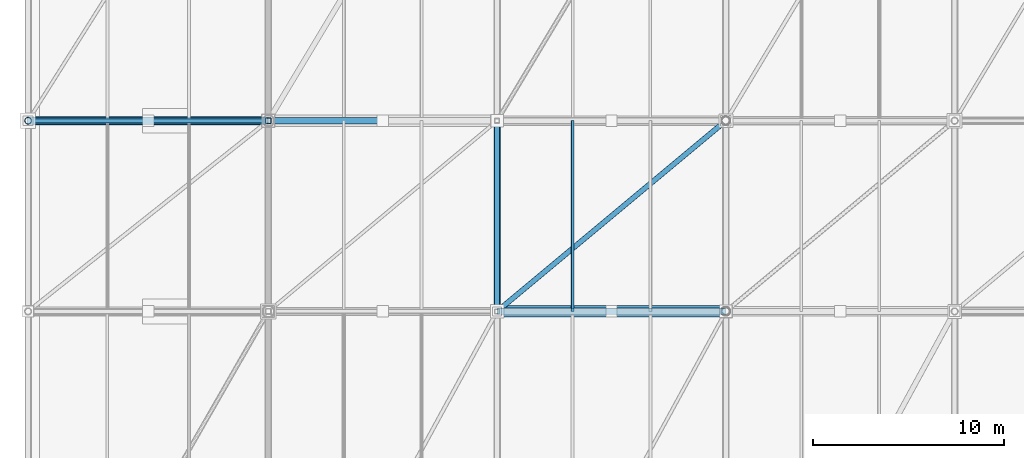
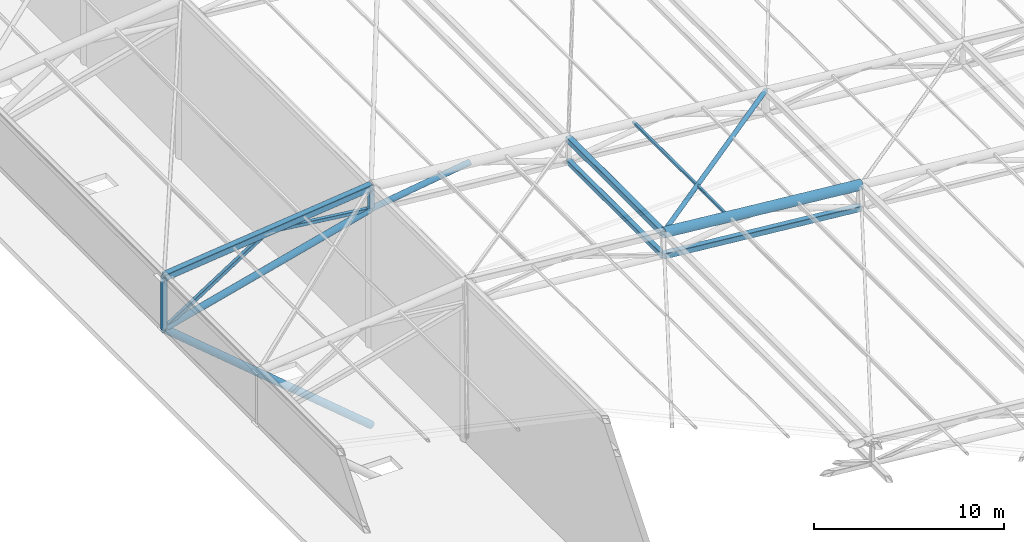
# One storey, part 12 of 44: 14 members.
"""IFC4 building model written with IfcOpenShell, lengths in metres."""

from ifc_helpers import new_model, si_unit, direction, frame, origin, origin_2d, place, context, subcontext, project, spatial, hollow_rectangle, hollow_circle, extrude, material, material_profile, profile_set, type_object, element, save


model = new_model("IFC4")

# Units and contexts
model_context = context("Model", 3, precision=1e-05, world=origin(), true_north=direction((0.0, 1.0)))
body_context = subcontext(model_context, "Body", "Model", "MODEL_VIEW")
ifc_project = project(units=[si_unit("LENGTHUNIT", "METRE"), si_unit("AREAUNIT", "SQUARE_METRE"), si_unit("VOLUMEUNIT", "CUBIC_METRE"), si_unit("PLANEANGLEUNIT", "RADIAN"), si_unit("MASSUNIT", "GRAM", prefix="KILO")], contexts=[model_context])

# Site, building, storey
site_placement = place(None, origin())
site = spatial("IfcSite", under=ifc_project, at=site_placement, CompositionType="ELEMENT")
building_placement = place(site_placement, origin())
building = spatial("IfcBuilding", under=site, at=building_placement, Name="Brinegate Civic Arena", CompositionType="ELEMENT")
storey_placement = place(building_placement, frame((0.0, 0.0, 29.39990234375)))
storey = spatial("IfcBuildingStorey", under=building, at=storey_placement, Name="RF", CompositionType="ELEMENT", Elevation=29.39990234375)

# Members
ifc_material = material(Name="Steel S355", Category="steel")
ifc_material_profile_1 = material_profile(ifc_material, hollow_rectangle(XDim=0.159912109375, YDim=0.159912109375, WallThickness=0.008056640625, InnerFilletRadius=0.008056640625, OuterFilletRadius=0.01611328125, at=origin_2d()), Name="SHS160X8")
ifc_profile_set_1 = profile_set([ifc_material_profile_1], Name="Steel S355")
member_type_1 = type_object("IfcMemberType", Name="RF-PURLIN-SHS160", PredefinedType="PURLIN", material=ifc_profile_set_1)
member_1_placement = place(storey_placement, frame((75.9599609375, 42.0, 9.089111328125), z_axis=(0.0, 1.0, 0.0), x_axis=(-1.0, 0.0, 0.0)))
element("IfcMember", 1, at=member_1_placement, inside=storey, type_object=member_type_1, Name="Roof Purlin RFP-041", PredefinedType="PURLIN", context=body_context, shape_type="SweptSolid", body=[
    extrude(hollow_rectangle(XDim=0.159912109375, YDim=0.159912109375, WallThickness=0.008056640625, InnerFilletRadius=0.008056640625, OuterFilletRadius=0.01611328125, at=origin_2d()), origin(), (0.0, 0.0, 1.0), 10.0),
])
ifc_material_profile_2 = material_profile(ifc_material, hollow_circle(Radius=0.136474609375, WallThickness=0.011962890625, at=origin_2d()), Name="CHS273X12")
ifc_profile_set_2 = profile_set([ifc_material_profile_2], Name="Steel S355")
member_type_2 = type_object("IfcMemberType", Name="SF-BRACE-CHS273", PredefinedType="BRACE", material=ifc_profile_set_2)
member_2_placement = place(storey_placement, frame((72.0, 42.0, 9.425048828125), z_axis=(0.766236619907, 0.638530516589, -0.071834683116), x_axis=(-0.640184399664, 0.768221279597, 0.0)))
element("IfcMember", 2, at=member_2_placement, inside=storey, type_object=member_type_2, Name="Roof Plan Diagonal Brace PL-3-3", PredefinedType="BRACE", context=body_context, shape_type="SweptSolid", body=[
    extrude(hollow_circle(Radius=0.136474609375, WallThickness=0.011962890625, at=origin_2d()), origin(), (0.0, 0.0, 1.0), 15.660888671875),
])
ifc_material_profile_3 = material_profile(ifc_material, hollow_circle(Radius=0.177978515625, WallThickness=0.013916015625, at=origin_2d()), Name="CHS356X14")
ifc_profile_set_3 = profile_set([ifc_material_profile_3], Name="Steel S355")
member_type_3 = type_object("IfcMemberType", Name="SF-BRACE-CHS356", PredefinedType="BRACE", material=ifc_profile_set_3)
member_3_placement = place(storey_placement, frame((60.0, 52.0, 9.10009765625), z_axis=(0.989226142737, 0.0, 0.1463954867), x_axis=(0.0, 1.0, 0.0)))
element("IfcMember", 3, at=member_3_placement, inside=storey, type_object=member_type_3, Name="Space Frame Web Brace D1-4-2", PredefinedType="BRACE", context=body_context, shape_type="SweptSolid", body=[
    extrude(hollow_circle(Radius=0.177978515625, WallThickness=0.013916015625, at=origin_2d()), origin(), (0.0, 0.0, 1.0), 6.0654296875),
])
ifc_material_profile_4 = material_profile(ifc_material, hollow_rectangle(XDim=0.219970703125, YDim=0.219970703125, WallThickness=0.011962890625, InnerFilletRadius=0.011962890625, OuterFilletRadius=0.02392578125, at=origin_2d()), Name="SHS220X12")
ifc_profile_set_4 = profile_set([ifc_material_profile_4], Name="Steel S355")
member_type_4 = type_object("IfcMemberType", Name="SF-BRACE-SHS220", PredefinedType="BRACE", material=ifc_profile_set_4)
member_4_placement = place(storey_placement, frame((47.39990234375, 52.0, 5.800048828125), z_axis=(0.841177416252, 0.0, 0.540759238837), x_axis=(0.0, 1.0, 0.0)))
element("IfcMember", 4, at=member_4_placement, inside=storey, type_object=member_type_4, Name="Space Frame Web Brace D1-4-1", PredefinedType="BRACE", context=body_context, shape_type="SweptSolid", body=[
    extrude(hollow_rectangle(XDim=0.219970703125, YDim=0.219970703125, WallThickness=0.011962890625, InnerFilletRadius=0.011962890625, OuterFilletRadius=0.02392578125, at=origin_2d()), origin(), (0.0, 0.0, 1.0), 7.489501953125),
])
member_5_placement = place(storey_placement, frame((53.699951171875, 52.0, 9.85009765625), z_axis=(0.992988381742, 0.0, -0.118211986387), x_axis=(0.0, 1.0, 0.0)))
element("IfcMember", 5, at=member_5_placement, inside=storey, type_object=member_type_4, Name="Space Frame Web Brace D2-4-1", PredefinedType="BRACE", context=body_context, shape_type="SweptSolid", body=[
    extrude(hollow_rectangle(XDim=0.219970703125, YDim=0.219970703125, WallThickness=0.011962890625, InnerFilletRadius=0.011962890625, OuterFilletRadius=0.02392578125, at=origin_2d()), origin(), (0.0, 0.0, 1.0), 6.344482421875),
])
ifc_material_profile_5 = material_profile(ifc_material, hollow_circle(Radius=0.202880859375, WallThickness=0.01611328125, at=origin_2d()), Name="CHS406X16")
ifc_profile_set_5 = profile_set([ifc_material_profile_5], Name="Steel S355")
member_type_5 = type_object("IfcMemberType", Name="SF-CHORD-CHS406", PredefinedType="CHORD", material=ifc_profile_set_5)
member_6_placement = place(storey_placement, frame((47.39990234375, 52.0, 5.800048828125), z_axis=(0.967371785856, 0.0, 0.25336106238), x_axis=(0.0, 1.0, 0.0)))
element("IfcMember", 6, at=member_6_placement, inside=storey, type_object=member_type_5, Name="Space Frame Bottom Chord BX-4-1", PredefinedType="CHORD", context=body_context, shape_type="SweptSolid", body=[
    extrude(hollow_circle(Radius=0.202880859375, WallThickness=0.01611328125, at=origin_2d()), origin(), (0.0, 0.0, 1.0), 13.025146484375),
])
ifc_material_profile_6 = material_profile(ifc_material, hollow_circle(Radius=0.304931640625, WallThickness=0.02490234375, at=origin_2d()), Name="CHS610X25")
ifc_profile_set_6 = profile_set([ifc_material_profile_6], Name="Steel S355")
member_type_6 = type_object("IfcMemberType", Name="SF-CHORD-CHS610", PredefinedType="CHORD", material=ifc_profile_set_6)
member_7_placement = place(storey_placement, frame((72.0, 42.0, 9.425048828125), z_axis=(0.995634226059, 0.0, -0.093340708693), x_axis=(0.0, 1.0, 0.0)))
element("IfcMember", 7, at=member_7_placement, inside=storey, type_object=member_type_6, Name="Space Frame Top Chord TX-3-3", PredefinedType="CHORD", context=body_context, shape_type="SweptSolid", body=[
    extrude(hollow_circle(Radius=0.304931640625, WallThickness=0.02490234375, at=origin_2d()), origin(), (0.0, 0.0, 1.0), 12.052734375),
])
ifc_material_profile_7 = material_profile(ifc_material, hollow_rectangle(XDim=0.300048828125, YDim=0.300048828125, WallThickness=0.01611328125, InnerFilletRadius=0.01611328125, OuterFilletRadius=0.031982421875, at=origin_2d()), Name="SHS300X16")
ifc_profile_set_7 = profile_set([ifc_material_profile_7], Name="Steel S355")
member_type_7 = type_object("IfcMemberType", Name="SF-CHORD-SHS300", PredefinedType="CHORD", material=ifc_profile_set_7)
member_8_placement = place(storey_placement, frame((72.0, 42.0, 7.97509765625), z_axis=(0.0, 1.0, 0.0), x_axis=(-1.0, 0.0, 0.0)))
element("IfcMember", 8, at=member_8_placement, inside=storey, type_object=member_type_7, Name="Space Frame Cross Bottom Chord BY-3-3", PredefinedType="CHORD", context=body_context, shape_type="SweptSolid", body=[
    extrude(hollow_rectangle(XDim=0.300048828125, YDim=0.300048828125, WallThickness=0.01611328125, InnerFilletRadius=0.01611328125, OuterFilletRadius=0.031982421875, at=origin_2d()), origin(), (0.0, 0.0, 1.0), 10.0),
])
ifc_material_profile_8 = material_profile(ifc_material, hollow_rectangle(XDim=0.35009765625, YDim=0.35009765625, WallThickness=0.01611328125, InnerFilletRadius=0.01611328125, OuterFilletRadius=0.031982421875, at=origin_2d()), Name="SHS350X16")
ifc_profile_set_8 = profile_set([ifc_material_profile_8], Name="Steel S355")
member_type_8 = type_object("IfcMemberType", Name="SF-CHORD-SHS350", PredefinedType="CHORD", material=ifc_profile_set_8)
member_9_placement = place(storey_placement, frame((72.0, 42.0, 7.97509765625), z_axis=(0.995634226059, 0.0, -0.093340708693), x_axis=(0.0, 1.0, 0.0)))
element("IfcMember", 9, at=member_9_placement, inside=storey, type_object=member_type_8, Name="Space Frame Bottom Chord BX-3-3", PredefinedType="CHORD", context=body_context, shape_type="SweptSolid", body=[
    extrude(hollow_rectangle(XDim=0.35009765625, YDim=0.35009765625, WallThickness=0.01611328125, InnerFilletRadius=0.01611328125, OuterFilletRadius=0.031982421875, at=origin_2d()), origin(), (0.0, 0.0, 1.0), 12.052734375),
])
member_10_placement = place(storey_placement, frame((72.0, 42.0, 9.425048828125), z_axis=(0.0, 1.0, 0.0), x_axis=(-1.0, 0.0, 0.0)))
element("IfcMember", 10, at=member_10_placement, inside=storey, type_object=member_type_8, Name="Space Frame Cross Top Chord TY-3-3", PredefinedType="CHORD", context=body_context, shape_type="SweptSolid", body=[
    extrude(hollow_rectangle(XDim=0.35009765625, YDim=0.35009765625, WallThickness=0.01611328125, InnerFilletRadius=0.01611328125, OuterFilletRadius=0.031982421875, at=origin_2d()), origin(), (0.0, 0.0, 1.0), 10.0),
])
ifc_material_profile_9 = material_profile(ifc_material, hollow_rectangle(XDim=0.39990234375, YDim=0.39990234375, WallThickness=0.02001953125, InnerFilletRadius=0.02001953125, OuterFilletRadius=0.0400390625, at=origin_2d()), Name="SHS400X20")
ifc_profile_set_9 = profile_set([ifc_material_profile_9], Name="Steel S355")
member_type_9 = type_object("IfcMemberType", Name="SF-CHORD-SHS400", PredefinedType="CHORD", material=ifc_profile_set_9)
member_11_placement = place(storey_placement, frame((47.39990234375, 52.0, 9.150146484375), z_axis=(0.993884674033, 0.0, 0.110423071515), x_axis=(0.0, 1.0, 0.0)))
element("IfcMember", 11, at=member_11_placement, inside=storey, type_object=member_type_9, Name="Space Frame Top Chord TX-4-1", PredefinedType="CHORD", context=body_context, shape_type="SweptSolid", body=[
    extrude(hollow_rectangle(XDim=0.39990234375, YDim=0.39990234375, WallThickness=0.02001953125, InnerFilletRadius=0.02001953125, OuterFilletRadius=0.0400390625, at=origin_2d()), origin(), (0.0, 0.0, 1.0), 12.677734375),
])
ifc_material_profile_10 = material_profile(ifc_material, hollow_circle(Radius=0.177978515625, WallThickness=0.013916015625, at=origin_2d()), Name="CHS356X14")
ifc_profile_set_10 = profile_set([ifc_material_profile_10], Name="Steel S355")
member_type_10 = type_object("IfcMemberType", Name="SF-STRUT-CHS356", PredefinedType="STRUT", material=ifc_profile_set_10)
member_12_placement = place(storey_placement, frame((47.39990234375, 52.0, 5.800048828125), z_axis=(0.0, 0.0, 1.0), x_axis=(1.0, 0.0, 0.0)))
element("IfcMember", 12, at=member_12_placement, inside=storey, type_object=member_type_10, Name="Space Frame Vertical Post V-4-1", PredefinedType="STRUT", context=body_context, shape_type="SweptSolid", body=[
    extrude(hollow_circle(Radius=0.177978515625, WallThickness=0.013916015625, at=origin_2d()), origin(), (0.0, 0.0, 1.0), 3.35009765625),
])
ifc_material_profile_11 = material_profile(ifc_material, hollow_circle(Radius=0.228515625, WallThickness=0.01611328125, at=origin_2d()), Name="CHS457X16")
ifc_profile_set_11 = profile_set([ifc_material_profile_11], Name="Steel S355")
member_type_11 = type_object("IfcMemberType", Name="SF-STRUT-CHS457", PredefinedType="STRUT", material=ifc_profile_set_11)
member_13_placement = place(storey_placement, frame((60.0, 52.0, -4.7998046875), z_axis=(-0.765232927861, 0.0, 0.643753497945), x_axis=(0.0, -1.0, 0.0)))
element("IfcMember", 13, at=member_13_placement, inside=storey, type_object=member_type_11, Name="Cantilever Back-Prop Strut SFS-CANT-04", PredefinedType="STRUT", context=body_context, shape_type="SweptSolid", body=[
    extrude(hollow_circle(Radius=0.228515625, WallThickness=0.01611328125, at=origin_2d()), origin(), (0.0, 0.0, 1.0), 16.4658203125),
])
ifc_material_profile_12 = material_profile(ifc_material, hollow_rectangle(XDim=0.300048828125, YDim=0.300048828125, WallThickness=0.01611328125, InnerFilletRadius=0.01611328125, OuterFilletRadius=0.031982421875, at=origin_2d()), Name="SHS300X16")
ifc_profile_set_12 = profile_set([ifc_material_profile_12], Name="Steel S355")
member_type_12 = type_object("IfcMemberType", Name="SF-STRUT-SHS300", PredefinedType="STRUT", material=ifc_profile_set_12)
member_14_placement = place(storey_placement, frame((60.0, 52.0, 9.10009765625), z_axis=(0.0, 0.0, 1.0), x_axis=(1.0, 0.0, 0.0)))
element("IfcMember", 14, at=member_14_placement, inside=storey, type_object=member_type_12, Name="Space Frame Vertical Post V-4-2", PredefinedType="STRUT", context=body_context, shape_type="SweptSolid", body=[
    extrude(hollow_rectangle(XDim=0.300048828125, YDim=0.300048828125, WallThickness=0.01611328125, InnerFilletRadius=0.01611328125, OuterFilletRadius=0.031982421875, at=origin_2d()), origin(), (0.0, 0.0, 1.0), 1.449951171875),
])

save(model, "model.ifc")
